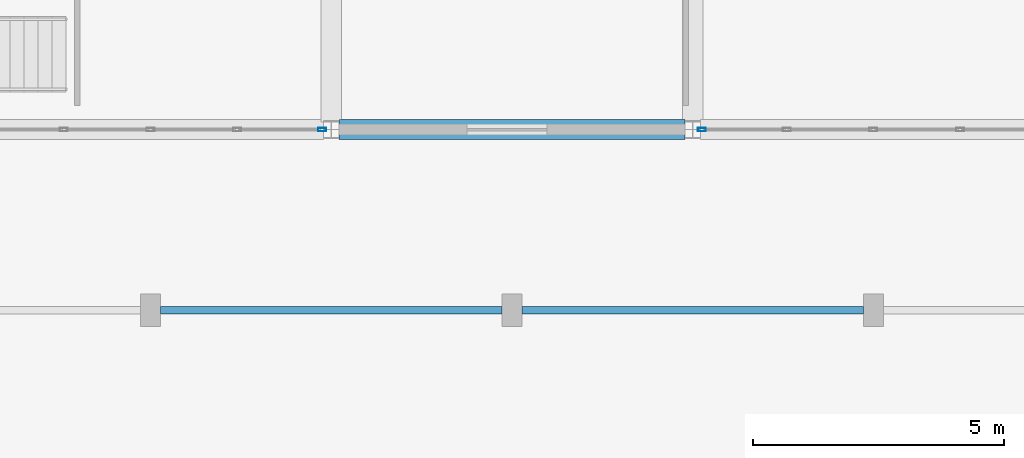
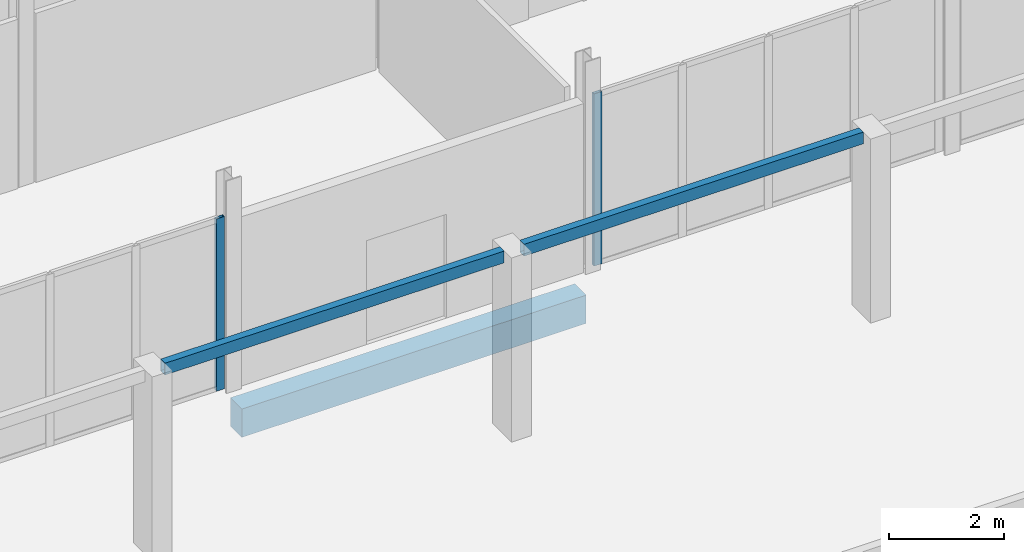
# One storey, part 80 of 139: 3 beams, 2 members, 2 elements without a shape of their own.
"""IFC4 building model written with IfcOpenShell, lengths in metres."""

from ifc_helpers import new_model, si_unit, direction, frame, origin, origin_2d, place, context, subcontext, project, spatial, rectangle, hollow_rectangle, extrude, material, material_profile, profile_set, type_object, element, aggregate, save


model = new_model("IFC4")

# Units and contexts
model_context = context("Model", 3, precision=1e-05, world=origin(), true_north=direction((0.0, 1.0)))
body_context = subcontext(model_context, "Body", "Model", "MODEL_VIEW")
ifc_project = project(units=[si_unit("LENGTHUNIT", "METRE"), si_unit("AREAUNIT", "SQUARE_METRE"), si_unit("VOLUMEUNIT", "CUBIC_METRE"), si_unit("PLANEANGLEUNIT", "RADIAN"), si_unit("MASSUNIT", "GRAM", prefix="KILO")], contexts=[model_context])

# Site, building, storey
site_placement = place(None, origin())
site = spatial("IfcSite", under=ifc_project, at=site_placement, CompositionType="ELEMENT")
building_placement = place(site_placement, origin())
building = spatial("IfcBuilding", under=site, at=building_placement, Name="Suanplinth Sawtooth Commons", CompositionType="ELEMENT")
storey_placement = place(building_placement, origin())
storey = spatial("IfcBuildingStorey", under=building, at=storey_placement, Name="L00", CompositionType="ELEMENT", Elevation=0.0)

# Beams
ifc_material_1 = material(Name="Precast concrete C40/50", Category="concrete")
ifc_material_profile_1 = material_profile(ifc_material_1, rectangle(XDim=0.39990234375, YDim=0.60009765625, at=origin_2d()), Name="PC-GDR 400x600")
ifc_profile_set_1 = profile_set([ifc_material_profile_1], Name="Precast concrete C40/50")
beam_type_1 = type_object("IfcBeamType", Name="B-05", PredefinedType="USERDEFINED", material=ifc_profile_set_1)
beam_placement = place(storey_placement, frame((151.35009765625, 50.39990234375, -0.719970703125), z_axis=(1.0, 0.0, 0.0), x_axis=(0.0, 1.0, 0.0)))
element("IfcBeam", 1, at=beam_placement, inside=storey, type_object=beam_type_1, Name="BMX-L00-NURS-21-7", ObjectType="GIRDER", PredefinedType="USERDEFINED", context=body_context, shape_type="SweptSolid", body=[
    extrude(rectangle(XDim=0.39990234375, YDim=0.60009765625, at=origin_2d()), origin(), (0.0, 0.0, 1.0), 6.89990234375),
])
ifc_material_2 = material(Name="Steel S355JR", Category="steel")
ifc_material_profile_2 = material_profile(ifc_material_2, hollow_rectangle(XDim=0.14990234375, YDim=0.25, WallThickness=0.010009765625, at=origin_2d()), Name="RHS 250x150x10")
ifc_profile_set_2 = profile_set([ifc_material_profile_2], Name="Steel S355JR")
beam_type_2 = type_object("IfcBeamType", Name="B-18", PredefinedType="BEAM", material=ifc_profile_set_2)
for number, where, z_axis, x_axis, name in (
    (2, (147.800048828125, 46.800048828125, 3.77490234375), (1.0, 0.0, 0.0), (0.0, 1.0, 0.0), "Nursery Veranda Edge Beam 3"),
    (3, (155.0, 46.800048828125, 3.77490234375), (1.0, 0.0, 0.0), (0.0, 1.0, 0.0), "Nursery Veranda Edge Beam 4"),
):
    element("IfcBeam", number, at=place(storey_placement, frame(where, z_axis=z_axis, x_axis=x_axis)), inside=storey, type_object=beam_type_2, Name=name, PredefinedType="BEAM", context=body_context, shape_type="SweptSolid", body=[
        extrude(hollow_rectangle(XDim=0.14990234375, YDim=0.25, WallThickness=0.010009765625, at=origin_2d()), origin(), (0.0, 0.0, 1.0), 6.800048828125),
    ])

# Curtain wall, member
ifc_material_3 = material(Name="Anodized aluminium and low-E glazing", Category="aluminium")
curtain_wall_type = type_object("IfcCurtainWallType", Name="CW-02", PredefinedType="USERDEFINED", material=ifc_material_3)
curtain_wall_1_placement = place(storey_placement, origin())
curtain_wall_1 = element("IfcCurtainWall", 4, at=curtain_wall_1_placement, inside=storey, type_object=curtain_wall_type, Name="Curtain Wall CW-L00-NURS-S-20", ObjectType="CURTAIN WALL", PredefinedType="USERDEFINED")
ifc_material_4 = material(Name="Anodized aluminium 6063-T6", Category="aluminium")
ifc_material_profile_3 = material_profile(ifc_material_4, hollow_rectangle(XDim=0.06494140625, YDim=0.159912109375, WallThickness=0.00390625, at=origin_2d()), Name="ALU-MUL 65x160")
ifc_profile_set_3 = profile_set([ifc_material_profile_3], Name="Anodized aluminium 6063-T6")
member_type = type_object("IfcMemberType", Name="M-13", PredefinedType="MULLION", material=ifc_profile_set_3)
member_1_placement = place(storey_placement, frame((151.017578125, 50.39990234375, 0.0), z_axis=(0.0, 0.0, 1.0), x_axis=(0.0, 1.0, 0.0)))
member_1 = element("IfcMember", 5, at=member_1_placement, type_object=member_type, Name="CW-02 mullion 5", PredefinedType="MULLION", context=body_context, shape_type="SweptSolid", body=[
    extrude(hollow_rectangle(XDim=0.06494140625, YDim=0.159912109375, WallThickness=0.00390625, at=origin_2d()), origin(), (0.0, 0.0, 1.0), 3.64990234375),
])
aggregate(curtain_wall_1, [member_1])

curtain_wall_2_placement = place(storey_placement, origin())
curtain_wall_2 = element("IfcCurtainWall", 6, at=curtain_wall_2_placement, inside=storey, type_object=curtain_wall_type, Name="Curtain Wall CW-L00-NURS-S-22", ObjectType="CURTAIN WALL", PredefinedType="USERDEFINED")
member_2_placement = place(storey_placement, frame((158.58251953125, 50.39990234375, 0.0), z_axis=(0.0, 0.0, 1.0), x_axis=(0.0, 1.0, 0.0)))
member_2 = element("IfcMember", 7, at=member_2_placement, type_object=member_type, Name="CW-02 mullion 1", PredefinedType="MULLION", context=body_context, shape_type="SweptSolid", body=[
    extrude(hollow_rectangle(XDim=0.06494140625, YDim=0.159912109375, WallThickness=0.00390625, at=origin_2d()), origin(), (0.0, 0.0, 1.0), 3.64990234375),
])
aggregate(curtain_wall_2, [member_2])

save(model, "model.ifc")
